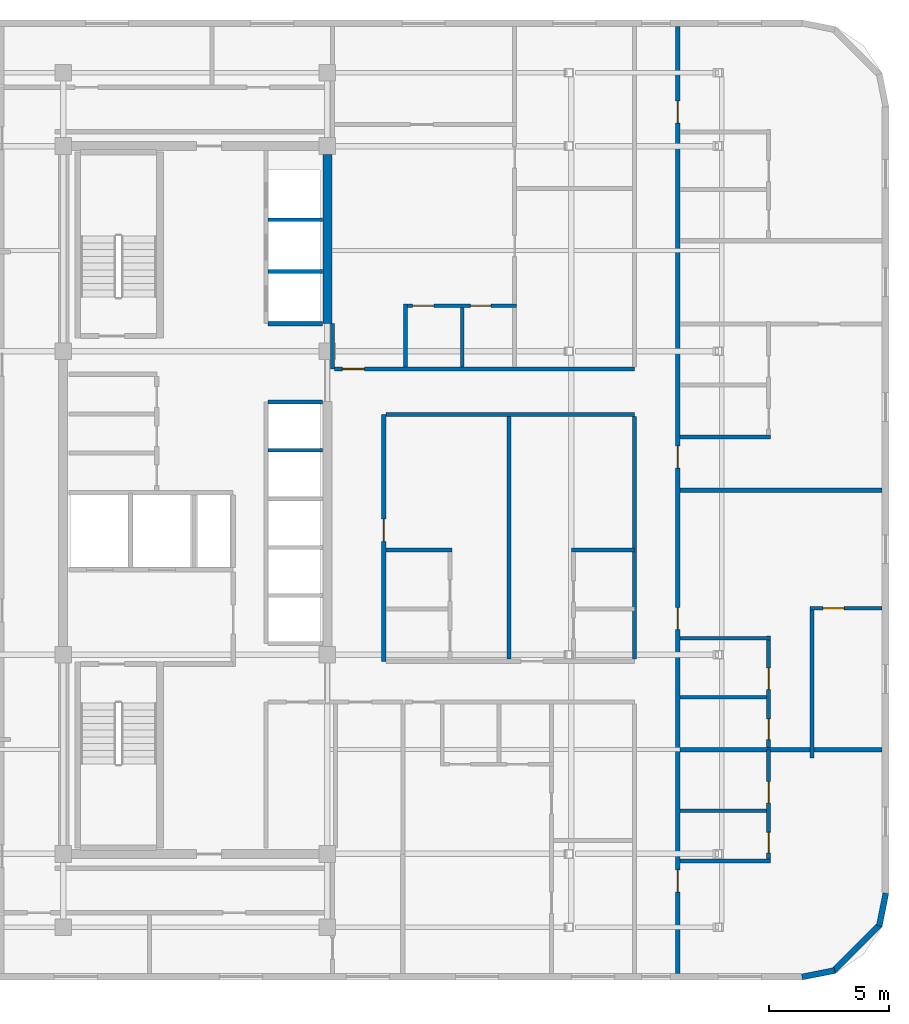
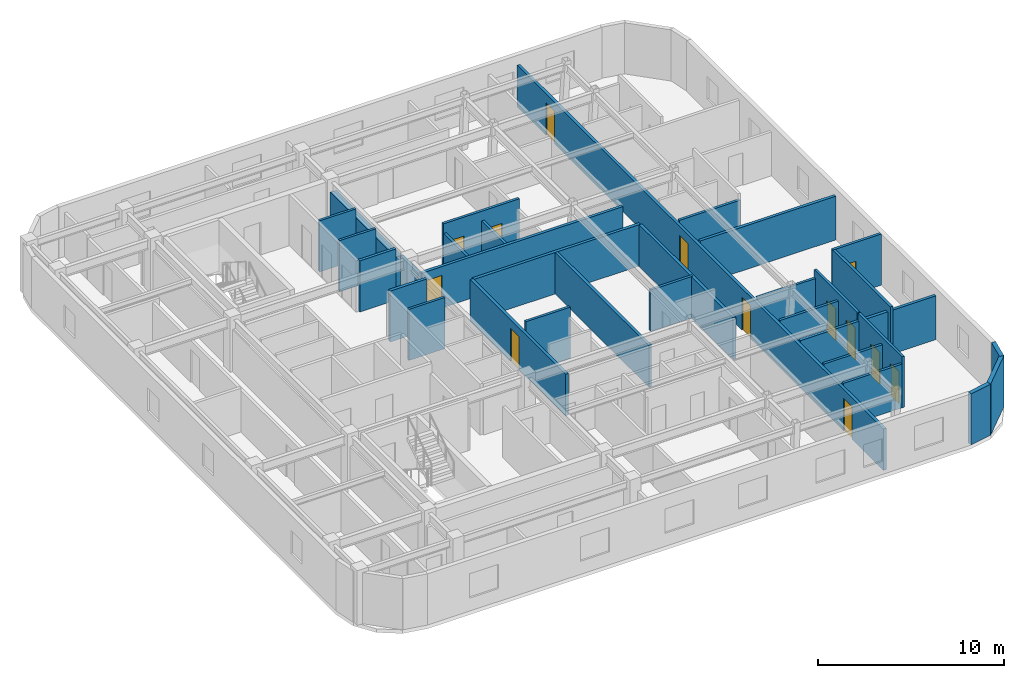
# One storey, part 5 of 8: 32 walls, 13 doors, 13 openings.
"""IFC4 building model written with IfcOpenShell, lengths in metres."""

from ifc_helpers import new_model, si_unit, direction, frame, frame_2d, origin, place, context, subcontext, project, spatial, rectangle, extrude, material, layer, layer_set, type_object, element, fill, save


model = new_model("IFC4")

# Units and contexts
model_context = context("Model", 3, precision=1e-05, world=origin(), true_north=direction((0.0, 1.0)))
body_context = subcontext(model_context, "Body", "Model", "MODEL_VIEW")
ifc_project = project(units=[si_unit("LENGTHUNIT", "METRE"), si_unit("AREAUNIT", "SQUARE_METRE"), si_unit("VOLUMEUNIT", "CUBIC_METRE"), si_unit("PLANEANGLEUNIT", "RADIAN"), si_unit("MASSUNIT", "GRAM", prefix="KILO")], contexts=[model_context])

# Site, building, storey
site_placement = place(None, origin())
site = spatial("IfcSite", under=ifc_project, at=site_placement, CompositionType="ELEMENT")
building_placement = place(site_placement, origin())
building = spatial("IfcBuilding", under=site, at=building_placement, Name="Ochreholt Gables", CompositionType="ELEMENT")
storey_placement = place(building_placement, frame((0.0, 0.0, 151.800048828125)))
storey = spatial("IfcBuildingStorey", under=building, at=storey_placement, Name="L39", CompositionType="ELEMENT", Elevation=151.800048828125)

# Walls
ifc_material_1 = material(Name="Concrete 50 MPa", Category="concrete")
ifc_layer_1 = layer(ifc_material_1, 0.3798828125, Name="Concrete 50 MPa")
ifc_layer_set_1 = layer_set([ifc_layer_1], Name="Concrete 50 MPa")
wall_type_1 = type_object("IfcWallType", Name="WALL-CSW-380", PredefinedType="SHEAR", material=ifc_layer_set_1)
wall_1_placement = place(storey_placement, frame((35.2099609375, 31.35009765625, 0.0), z_axis=(0.0, 0.0, 1.0), x_axis=(0.0, 1.0, 0.0)))
element("IfcWall", 1, at=wall_1_placement, inside=storey, type_object=wall_type_1, Name="L39 Core North-East Shear Wall", PredefinedType="SHEAR", context=body_context, shape_type="SweptSolid", body=[
    extrude(rectangle(XDim=7.0498046875, YDim=0.3798828125, at=frame_2d((3.52490234375, 0.0))), origin(), (0.0, 0.0, 1.0), 2.748046875),
])
ifc_material_2 = material(Name="Precast concrete 40 MPa", Category="concrete")
ifc_layer_2 = layer(ifc_material_2, 0.25, Name="Precast concrete 40 MPa")
ifc_layer_set_2 = layer_set([ifc_layer_2], Name="Precast concrete 40 MPa")
wall_type_2 = type_object("IfcWallType", Name="WALL-EXT-CNR", PredefinedType="SOLIDWALL", material=ifc_layer_set_2)
wall_2_placement = place(storey_placement, frame((54.9833984375, 4.124267578125, 0.0), z_axis=(0.0, 0.0, 1.0), x_axis=(0.980809899341, 0.19496651342, 0.0)))
element("IfcWall", 2, at=wall_2_placement, inside=storey, type_object=wall_type_2, Name="L39 Rounded Corner Wall SE-1", PredefinedType="SOLIDWALL", context=body_context, shape_type="SweptSolid", body=[
    extrude(rectangle(XDim=1.388671875, YDim=0.25, at=frame_2d((0.6943359375, 0.0))), origin(), (0.0, 0.0, 1.0), 3.35986328125),
])
wall_3_placement = place(storey_placement, frame((56.294921875, 4.367919921875, 0.0), z_axis=(0.0, 0.0, 1.0), x_axis=(0.707106781187, 0.707106781187, 0.0)))
element("IfcWall", 3, at=wall_3_placement, inside=storey, type_object=wall_type_2, Name="L39 Rounded Corner Wall SE-2", PredefinedType="SOLIDWALL", context=body_context, shape_type="SweptSolid", body=[
    extrude(rectangle(XDim=2.7392578125, YDim=0.25, at=frame_2d((1.36962890625, 0.0))), origin(), (0.0, 0.0, 1.0), 3.35986328125),
])
wall_4_placement = place(storey_placement, frame((58.205078125, 6.25439453125, 0.0), z_axis=(0.0, 0.0, 1.0), x_axis=(0.19496651342, 0.980809899341, 0.0)))
element("IfcWall", 4, at=wall_4_placement, inside=storey, type_object=wall_type_2, Name="L39 Rounded Corner Wall SE-3", PredefinedType="SOLIDWALL", context=body_context, shape_type="SweptSolid", body=[
    extrude(rectangle(XDim=1.388671875, YDim=0.25, at=frame_2d((0.6943359375, 0.0))), origin(), (0.0, 0.0, 1.0), 3.35986328125),
])

# Wall, opening, door
ifc_material_3 = material(Name="Fire-Rated Gypsum Acoustic Partition", Category="gypsum")
ifc_layer_3 = layer(ifc_material_3, 0.179931640625, Name="Fire-Rated Gypsum Acoustic Partition")
ifc_layer_set_3 = layer_set([ifc_layer_3], Name="Fire-Rated Gypsum Acoustic Partition")
wall_type_3 = type_object("IfcWallType", Name="WALL-INT-CR180", PredefinedType="STANDARD", material=ifc_layer_set_3)
wall_5_placement = place(storey_placement, frame((37.550048828125, 17.280029296875, 0.0), z_axis=(0.0, 0.0, 1.0), x_axis=(0.0, 1.0, 0.0)))
wall_5 = element("IfcWall", 5, at=wall_5_placement, inside=storey, type_object=wall_type_3, Name="L39 Interior Wall WI-C2EM-L39", PredefinedType="STANDARD", context=body_context, shape_type="SweptSolid", body=[
    extrude(rectangle(XDim=10.280029296875, YDim=0.179931640625, at=frame_2d((5.14013671875, 0.0))), origin(), (0.0, 0.0, 1.0), 2.72998046875),
])
opening_1_placement = place(wall_5_placement, frame((5.0, 0.0, 0.0)))
opening_1 = element("IfcOpeningElement", 6, at=opening_1_placement, cuts=wall_5, Name="Opening D-UN1", PredefinedType="OPENING", context=body_context, shape_type="SweptSolid", body=[
    extrude(rectangle(XDim=0.919921875, YDim=2.14990234375, at=frame_2d((0.4599609375, 1.074951171875))), frame((0.0, 0.099853515625, 0.0), z_axis=(0.0, -1.0, 0.0), x_axis=(1.0, 0.0, 0.0)), (0.0, 0.0, 1.0), 0.199951171875),
])
ifc_material_4 = material(Name="Engineered Oak Timber", Category="wood")
door_type_1 = type_object("IfcDoorType", Name="DR-INT-UNT920", OperationType="NOTDEFINED", PredefinedType="DOOR", material=ifc_material_4)
door_1_placement = place(opening_1_placement, origin())
door_1 = element("IfcDoor", 7, at=door_1_placement, inside=storey, type_object=door_type_1, Name="L39 Door D-U-L39M1-ENT", OperationType="SINGLE_SWING_RIGHT", OverallHeight=2.14990234375, OverallWidth=0.919921875, PredefinedType="DOOR", context=body_context, shape_type="SweptSolid", body=[
    extrude(rectangle(XDim=0.919921875, YDim=2.14990234375, at=frame_2d((0.4599609375, 1.074951171875))), frame((0.0, 0.02490234375, 0.0), z_axis=(0.0, -1.0, 0.0), x_axis=(1.0, 0.0, 0.0)), (0.0, 0.0, 1.0), 0.050048828125),
])
fill(opening_1, door_1)

# Walls
wall_6_placement = place(storey_placement, frame((37.639892578125, 27.56005859375, 0.0), z_axis=(0.0, 0.0, 1.0), x_axis=(1.0, 0.0, 0.0)))
element("IfcWall", 8, at=wall_6_placement, inside=storey, type_object=wall_type_3, Name="L39 Interior Wall WI-C2SN1-L39", PredefinedType="STANDARD", context=body_context, shape_type="SweptSolid", body=[
    extrude(rectangle(XDim=10.360107421875, YDim=0.179931640625, at=frame_2d((5.18017578125, 0.0))), origin(), (0.0, 0.0, 1.0), 2.72998046875),
])
wall_7_placement = place(storey_placement, frame((35.419921875, 29.4599609375, 0.0), z_axis=(0.0, 0.0, 1.0), x_axis=(0.0, 1.0, 0.0)))
element("IfcWall", 9, at=wall_7_placement, inside=storey, type_object=wall_type_3, Name="L39 Interior Wall WI-C2NCL-L39", PredefinedType="STANDARD", context=body_context, shape_type="SweptSolid", body=[
    extrude(rectangle(XDim=1.89013671875, YDim=0.179931640625, at=frame_2d((0.945068359375, 0.0))), origin(), (0.0, 0.0, 1.0), 2.72998046875),
])

# Wall, opening, door
wall_8_placement = place(storey_placement, frame((35.510009765625, 29.4599609375, 0.0), z_axis=(0.0, 0.0, 1.0), x_axis=(1.0, 0.0, 0.0)))
wall_8 = element("IfcWall", 10, at=wall_8_placement, inside=storey, type_object=wall_type_3, Name="L39 Interior Wall WI-C2SN2-L39", PredefinedType="STANDARD", context=body_context, shape_type="SweptSolid", body=[
    extrude(rectangle(XDim=12.489990234375, YDim=0.179931640625, at=frame_2d((6.2451171875, 0.0))), origin(), (0.0, 0.0, 1.0), 2.72998046875),
])
opening_2_placement = place(wall_8_placement, frame((0.320068359375, 0.0, 0.0)))
opening_2 = element("IfcOpeningElement", 11, at=opening_2_placement, cuts=wall_8, Name="Opening D-UN1", PredefinedType="OPENING", context=body_context, shape_type="SweptSolid", body=[
    extrude(rectangle(XDim=0.919921875, YDim=2.14990234375, at=frame_2d((0.4599609375, 1.074951171875))), frame((0.0, 0.099853515625, 0.0), z_axis=(0.0, -1.0, 0.0), x_axis=(1.0, 0.0, 0.0)), (0.0, 0.0, 1.0), 0.199951171875),
])
door_2_placement = place(opening_2_placement, origin())
door_2 = element("IfcDoor", 12, at=door_2_placement, inside=storey, type_object=door_type_1, Name="L39 Door D-U-L39N1-ENT", OperationType="SINGLE_SWING_LEFT", OverallHeight=2.14990234375, OverallWidth=0.919921875, PredefinedType="DOOR", context=body_context, shape_type="SweptSolid", body=[
    extrude(rectangle(XDim=0.919921875, YDim=2.14990234375, at=frame_2d((0.4599609375, 1.074951171875))), frame((0.0, 0.02490234375, 0.0), z_axis=(0.0, -1.0, 0.0), x_axis=(1.0, 0.0, 0.0)), (0.0, 0.0, 1.0), 0.050048828125),
])
fill(opening_2, door_2)

# Wall, openings, doors
wall_9_placement = place(storey_placement, frame((49.800048828125, 4.280029296875, 0.0), z_axis=(0.0, 0.0, 1.0), x_axis=(0.0, 1.0, 0.0)))
wall_9 = element("IfcWall", 13, at=wall_9_placement, inside=storey, type_object=wall_type_3, Name="L39 Interior Wall WI-C2FEG-L39", PredefinedType="STANDARD", context=body_context, shape_type="SweptSolid", body=[
    extrude(rectangle(XDim=39.43994140625, YDim=0.179931640625, at=frame_2d((19.719970703125, 0.0))), origin(), (0.0, 0.0, 1.0), 2.72998046875),
])
opening_3_placement = place(wall_9_placement, frame((3.3798828125, 0.0, 0.0)))
opening_3 = element("IfcOpeningElement", 14, at=opening_3_placement, cuts=wall_9, Name="Opening D-UN1", PredefinedType="OPENING", context=body_context, shape_type="SweptSolid", body=[
    extrude(rectangle(XDim=0.919921875, YDim=2.14990234375, at=frame_2d((0.4599609375, 1.074951171875))), frame((0.0, 0.099853515625, 0.0), z_axis=(0.0, -1.0, 0.0), x_axis=(1.0, 0.0, 0.0)), (0.0, 0.0, 1.0), 0.199951171875),
])
opening_4_placement = place(wall_9_placement, frame((14.320068359375, 0.0, 0.0)))
opening_4 = element("IfcOpeningElement", 15, at=opening_4_placement, cuts=wall_9, Name="Opening D-UN1", PredefinedType="OPENING", context=body_context, shape_type="SweptSolid", body=[
    extrude(rectangle(XDim=0.919921875, YDim=2.14990234375, at=frame_2d((0.4599609375, 1.074951171875))), frame((0.0, 0.099853515625, 0.0), z_axis=(0.0, -1.0, 0.0), x_axis=(1.0, 0.0, 0.0)), (0.0, 0.0, 1.0), 0.199951171875),
])
opening_5_placement = place(wall_9_placement, frame((21.05029296875, 0.0, 0.0)))
opening_5 = element("IfcOpeningElement", 16, at=opening_5_placement, cuts=wall_9, Name="Opening D-UN1", PredefinedType="OPENING", context=body_context, shape_type="SweptSolid", body=[
    extrude(rectangle(XDim=0.919921875, YDim=2.14990234375, at=frame_2d((0.4599609375, 1.074951171875))), frame((0.0, 0.099853515625, 0.0), z_axis=(0.0, -1.0, 0.0), x_axis=(1.0, 0.0, 0.0)), (0.0, 0.0, 1.0), 0.199951171875),
])
opening_6_placement = place(wall_9_placement, frame((35.419921875, 0.0, 0.0)))
opening_6 = element("IfcOpeningElement", 17, at=opening_6_placement, cuts=wall_9, Name="Opening D-UN1", PredefinedType="OPENING", context=body_context, shape_type="SweptSolid", body=[
    extrude(rectangle(XDim=0.919921875, YDim=2.14990234375, at=frame_2d((0.4599609375, 1.074951171875))), frame((0.0, 0.099853515625, 0.0), z_axis=(0.0, -1.0, 0.0), x_axis=(1.0, 0.0, 0.0)), (0.0, 0.0, 1.0), 0.199951171875),
])
door_3_placement = place(opening_3_placement, origin())
door_3 = element("IfcDoor", 18, at=door_3_placement, inside=storey, type_object=door_type_1, Name="L39 Door D-U-L39FE1-ENT", OperationType="SINGLE_SWING_RIGHT", OverallHeight=2.14990234375, OverallWidth=0.919921875, PredefinedType="DOOR", context=body_context, shape_type="SweptSolid", body=[
    extrude(rectangle(XDim=0.919921875, YDim=2.14990234375, at=frame_2d((0.4599609375, 1.074951171875))), frame((0.0, 0.02490234375, 0.0), z_axis=(0.0, -1.0, 0.0), x_axis=(1.0, 0.0, 0.0)), (0.0, 0.0, 1.0), 0.050048828125),
])
fill(opening_3, door_3)
door_4_placement = place(opening_4_placement, origin())
door_4 = element("IfcDoor", 19, at=door_4_placement, inside=storey, type_object=door_type_1, Name="L39 Door D-U-L39FE2-ENT", OperationType="SINGLE_SWING_LEFT", OverallHeight=2.14990234375, OverallWidth=0.919921875, PredefinedType="DOOR", context=body_context, shape_type="SweptSolid", body=[
    extrude(rectangle(XDim=0.919921875, YDim=2.14990234375, at=frame_2d((0.4599609375, 1.074951171875))), frame((0.0, 0.02490234375, 0.0), z_axis=(0.0, -1.0, 0.0), x_axis=(1.0, 0.0, 0.0)), (0.0, 0.0, 1.0), 0.050048828125),
])
fill(opening_4, door_4)
door_5_placement = place(opening_5_placement, origin())
door_5 = element("IfcDoor", 20, at=door_5_placement, inside=storey, type_object=door_type_1, Name="L39 Door D-U-L39FE3-ENT", OperationType="SINGLE_SWING_RIGHT", OverallHeight=2.14990234375, OverallWidth=0.919921875, PredefinedType="DOOR", context=body_context, shape_type="SweptSolid", body=[
    extrude(rectangle(XDim=0.919921875, YDim=2.14990234375, at=frame_2d((0.4599609375, 1.074951171875))), frame((0.0, 0.02490234375, 0.0), z_axis=(0.0, -1.0, 0.0), x_axis=(1.0, 0.0, 0.0)), (0.0, 0.0, 1.0), 0.050048828125),
])
fill(opening_5, door_5)
door_6_placement = place(opening_6_placement, origin())
door_6 = element("IfcDoor", 21, at=door_6_placement, inside=storey, type_object=door_type_1, Name="L39 Door D-U-L39FE4-ENT", OperationType="SINGLE_SWING_LEFT", OverallHeight=2.14990234375, OverallWidth=0.919921875, PredefinedType="DOOR", context=body_context, shape_type="SweptSolid", body=[
    extrude(rectangle(XDim=0.919921875, YDim=2.14990234375, at=frame_2d((0.4599609375, 1.074951171875))), frame((0.0, 0.02490234375, 0.0), z_axis=(0.0, -1.0, 0.0), x_axis=(1.0, 0.0, 0.0)), (0.0, 0.0, 1.0), 0.050048828125),
])
fill(opening_6, door_6)

# Walls
wall_10_placement = place(storey_placement, frame((48.0, 17.3701171875, 0.0), z_axis=(0.0, 0.0, 1.0), x_axis=(0.0, 1.0, 0.0)))
element("IfcWall", 22, at=wall_10_placement, inside=storey, type_object=wall_type_3, Name="L39 Interior Wall WI-C2FEGW2-L39", PredefinedType="STANDARD", context=body_context, shape_type="SweptSolid", body=[
    extrude(rectangle(XDim=10.099853515625, YDim=0.179931640625, at=frame_2d((5.0498046875, 0.0))), origin(), (0.0, 0.0, 1.0), 2.72998046875),
])
ifc_material_5 = material(Name="Double-Stud Acoustic Demising Wall", Category="gypsum")
ifc_layer_4 = layer(ifc_material_5, 0.179931640625, Name="Double-Stud Acoustic Demising Wall")
ifc_layer_set_4 = layer_set([ifc_layer_4], Name="Double-Stud Acoustic Demising Wall")
wall_type_4 = type_object("IfcWallType", Name="WALL-INT-DM180", PredefinedType="PARTITIONING", material=ifc_layer_set_4)
wall_11_placement = place(storey_placement, frame((42.77490234375, 17.3701171875, 0.0), z_axis=(0.0, 0.0, 1.0), x_axis=(0.0, 1.0, 0.0)))
element("IfcWall", 23, at=wall_11_placement, inside=storey, type_object=wall_type_4, Name="L39 Interior Wall WI-C2UDM-L39", PredefinedType="PARTITIONING", context=body_context, shape_type="SweptSolid", body=[
    extrude(rectangle(XDim=10.099853515625, YDim=0.179931640625, at=frame_2d((5.0498046875, 0.0))), origin(), (0.0, 0.0, 1.0), 2.72998046875),
])
for number, where, z_axis, x_axis, name in (
    (24, (49.889892578125, 13.60009765625, 0.0), (0.0, 0.0, 1.0), (1.0, 0.0, 0.0), "L39 Interior Wall WI-C2FED2-L39"),
    (25, (49.889892578125, 24.39990234375, 0.0), (0.0, 0.0, 1.0), (1.0, 0.0, 0.0), "L39 Interior Wall WI-C2FED3-L39"),
):
    element("IfcWall", number, at=place(storey_placement, frame(where, z_axis=z_axis, x_axis=x_axis)), inside=storey, type_object=wall_type_4, Name=name, PredefinedType="PARTITIONING", context=body_context, shape_type="SweptSolid", body=[
        extrude(rectangle(XDim=8.43017578125, YDim=0.179931640625, at=frame_2d((4.215087890625, 0.0))), origin(), (0.0, 0.0, 1.0), 2.87890625),
    ])

# Wall, openings, doors
ifc_material_6 = material(Name="Moisture-Resistant Plumbing Chase Wall", Category="gypsum")
ifc_layer_5 = layer(ifc_material_6, 0.159912109375, Name="Moisture-Resistant Plumbing Chase Wall")
ifc_layer_set_5 = layer_set([ifc_layer_5], Name="Moisture-Resistant Plumbing Chase Wall")
wall_type_5 = type_object("IfcWallType", Name="WALL-INT-PL160", PredefinedType="PLUMBINGWALL", material=ifc_layer_set_5)
wall_12_placement = place(storey_placement, frame((38.3798828125, 32.094970703125, 0.0), z_axis=(0.0, 0.0, 1.0), x_axis=(1.0, 0.0, 0.0)))
wall_12 = element("IfcWall", 26, at=wall_12_placement, inside=storey, type_object=wall_type_5, Name="L39 Interior Wall WU-L39N1-WY", PredefinedType="PLUMBINGWALL", context=body_context, shape_type="SweptSolid", body=[
    extrude(rectangle(XDim=4.710205078125, YDim=0.159912109375, at=frame_2d((2.35498046875, 0.0))), origin(), (0.0, 0.0, 1.0), 3.35986328125),
])
opening_7_placement = place(wall_12_placement, frame((0.3798828125, 0.0, 0.0)))
opening_7 = element("IfcOpeningElement", 27, at=opening_7_placement, cuts=wall_12, Name="Opening D-GN2", PredefinedType="OPENING", context=body_context, shape_type="SweptSolid", body=[
    extrude(rectangle(XDim=0.8798828125, YDim=2.1201171875, at=frame_2d((0.43994140625, 1.06005859375))), frame((0.0, 0.08984375, 0.0), z_axis=(0.0, -1.0, 0.0), x_axis=(1.0, 0.0, 0.0)), (0.0, 0.0, 1.0), 0.179931640625),
])
opening_8_placement = place(wall_12_placement, frame((2.785888671875, 0.0, 0.0)))
opening_8 = element("IfcOpeningElement", 28, at=opening_8_placement, cuts=wall_12, Name="Opening D-BT1", PredefinedType="OPENING", context=body_context, shape_type="SweptSolid", body=[
    extrude(rectangle(XDim=0.860107421875, YDim=2.1201171875, at=frame_2d((0.43017578125, 1.06005859375))), frame((0.0, 0.08984375, 0.0), z_axis=(0.0, -1.0, 0.0), x_axis=(1.0, 0.0, 0.0)), (0.0, 0.0, 1.0), 0.179931640625),
])
door_type_2 = type_object("IfcDoorType", Name="DR-INT-BTH860", OperationType="NOTDEFINED", PredefinedType="DOOR", material=ifc_material_4)
door_7_placement = place(opening_8_placement, origin())
door_7 = element("IfcDoor", 29, at=door_7_placement, inside=storey, type_object=door_type_2, Name="L39 Door D-U-L39N1-BTH", OperationType="SINGLE_SWING_LEFT", OverallHeight=2.1201171875, OverallWidth=0.860107421875, PredefinedType="DOOR", context=body_context, shape_type="SweptSolid", body=[
    extrude(rectangle(XDim=0.860107421875, YDim=2.1201171875, at=frame_2d((0.43017578125, 1.06005859375))), frame((0.0, 0.02490234375, 0.0), z_axis=(0.0, -1.0, 0.0), x_axis=(1.0, 0.0, 0.0)), (0.0, 0.0, 1.0), 0.050048828125),
])
fill(opening_8, door_7)
door_type_3 = type_object("IfcDoorType", Name="DR-INT-GEN880", OperationType="NOTDEFINED", PredefinedType="DOOR", material=ifc_material_4)
door_8_placement = place(opening_7_placement, origin())
door_8 = element("IfcDoor", 30, at=door_8_placement, inside=storey, type_object=door_type_3, Name="L39 Door D-U-L39N1-KIT", OperationType="SINGLE_SWING_RIGHT", OverallHeight=2.1201171875, OverallWidth=0.8798828125, PredefinedType="DOOR", context=body_context, shape_type="SweptSolid", body=[
    extrude(rectangle(XDim=0.8798828125, YDim=2.1201171875, at=frame_2d((0.43994140625, 1.06005859375))), frame((0.0, 0.02490234375, 0.0), z_axis=(0.0, -1.0, 0.0), x_axis=(1.0, 0.0, 0.0)), (0.0, 0.0, 1.0), 0.050048828125),
])
fill(opening_7, door_8)

# Walls
wall_13_placement = place(storey_placement, frame((38.4599609375, 29.550048828125, 0.0), z_axis=(0.0, 0.0, 1.0), x_axis=(0.0, 1.0, 0.0)))
element("IfcWall", 31, at=wall_13_placement, inside=storey, type_object=wall_type_5, Name="L39 Interior Wall WU-L39N1-FY", PredefinedType="PLUMBINGWALL", context=body_context, shape_type="SweptSolid", body=[
    extrude(rectangle(XDim=2.625, YDim=0.159912109375, at=frame_2d((1.3125, 0.0))), origin(), (0.0, 0.0, 1.0), 2.72998046875),
])
wall_14_placement = place(storey_placement, frame((40.825927734375, 29.550048828125, 0.0), z_axis=(0.0, 0.0, 1.0), x_axis=(0.0, 1.0, 0.0)))
element("IfcWall", 32, at=wall_14_placement, inside=storey, type_object=wall_type_5, Name="L39 Interior Wall WU-L39N1-WK", PredefinedType="PLUMBINGWALL", context=body_context, shape_type="SweptSolid", body=[
    extrude(rectangle(XDim=2.46484375, YDim=0.159912109375, at=frame_2d((1.232421875, 0.0))), origin(), (0.0, 0.0, 1.0), 2.72998046875),
])
wall_15_placement = place(storey_placement, frame((37.639892578125, 21.919921875, 0.0), z_axis=(0.0, 0.0, 1.0), x_axis=(1.0, 0.0, 0.0)))
element("IfcWall", 33, at=wall_15_placement, inside=storey, type_object=wall_type_5, Name="L39 Interior Wall WU-L39M1-WYN", PredefinedType="PLUMBINGWALL", context=body_context, shape_type="SweptSolid", body=[
    extrude(rectangle(XDim=2.758056640625, YDim=0.159912109375, at=frame_2d((1.37890625, 0.0))), origin(), (0.0, 0.0, 1.0), 3.35986328125),
])
wall_16_placement = place(storey_placement, frame((45.3798828125, 21.919921875, 0.0), z_axis=(0.0, 0.0, 1.0), x_axis=(1.0, 0.0, 0.0)))
element("IfcWall", 34, at=wall_16_placement, inside=storey, type_object=wall_type_5, Name="L39 Interior Wall WU-L39M2-FY", PredefinedType="PLUMBINGWALL", context=body_context, shape_type="SweptSolid", body=[
    extrude(rectangle(XDim=2.6201171875, YDim=0.159912109375, at=frame_2d((1.31005859375, 0.0))), origin(), (0.0, 0.0, 1.0), 2.72998046875),
])
wall_17_placement = place(storey_placement, frame((49.889892578125, 8.9599609375, 0.0), z_axis=(0.0, 0.0, 1.0), x_axis=(1.0, 0.0, 0.0)))
element("IfcWall", 35, at=wall_17_placement, inside=storey, type_object=wall_type_5, Name="L39 Interior Wall WU-L39FE1-WYS", PredefinedType="PLUMBINGWALL", context=body_context, shape_type="SweptSolid", body=[
    extrude(rectangle(XDim=3.780029296875, YDim=0.159912109375, at=frame_2d((1.89013671875, 0.0))), origin(), (0.0, 0.0, 1.0), 2.87890625),
])

# Wall, openings, doors
wall_18_placement = place(storey_placement, frame((53.590087890625, 8.8701171875, 0.0), z_axis=(0.0, 0.0, 1.0), x_axis=(0.0, 1.0, 0.0)))
wall_18 = element("IfcWall", 36, at=wall_18_placement, inside=storey, type_object=wall_type_5, Name="L39 Interior Wall WU-L39FE1-WX", PredefinedType="PLUMBINGWALL", context=body_context, shape_type="SweptSolid", body=[
    extrude(rectangle(XDim=4.72998046875, YDim=0.159912109375, at=frame_2d((2.364990234375, 0.0))), origin(), (0.0, 0.0, 1.0), 3.35986328125),
])
opening_9_placement = place(wall_18_placement, frame((0.419921875, 0.0, 0.0)))
opening_9 = element("IfcOpeningElement", 37, at=opening_9_placement, cuts=wall_18, Name="Opening D-BT1", PredefinedType="OPENING", context=body_context, shape_type="SweptSolid", body=[
    extrude(rectangle(XDim=0.860107421875, YDim=2.1201171875, at=frame_2d((0.43017578125, 1.06005859375))), frame((0.0, 0.08984375, 0.0), z_axis=(0.0, -1.0, 0.0), x_axis=(1.0, 0.0, 0.0)), (0.0, 0.0, 1.0), 0.179931640625),
])
opening_10_placement = place(wall_18_placement, frame((2.512939453125, 0.0, 0.0)))
opening_10 = element("IfcOpeningElement", 38, at=opening_10_placement, cuts=wall_18, Name="Opening D-GN2", PredefinedType="OPENING", context=body_context, shape_type="SweptSolid", body=[
    extrude(rectangle(XDim=0.8798828125, YDim=2.1201171875, at=frame_2d((0.43994140625, 1.06005859375))), frame((0.0, 0.08984375, 0.0), z_axis=(0.0, -1.0, 0.0), x_axis=(1.0, 0.0, 0.0)), (0.0, 0.0, 1.0), 0.179931640625),
])
door_9_placement = place(opening_9_placement, origin())
door_9 = element("IfcDoor", 39, at=door_9_placement, inside=storey, type_object=door_type_2, Name="L39 Door D-U-L39FE1-BTH", OperationType="SINGLE_SWING_LEFT", OverallHeight=2.1201171875, OverallWidth=0.860107421875, PredefinedType="DOOR", context=body_context, shape_type="SweptSolid", body=[
    extrude(rectangle(XDim=0.860107421875, YDim=2.1201171875, at=frame_2d((0.43017578125, 1.06005859375))), frame((0.0, 0.02490234375, 0.0), z_axis=(0.0, -1.0, 0.0), x_axis=(1.0, 0.0, 0.0)), (0.0, 0.0, 1.0), 0.050048828125),
])
fill(opening_9, door_9)
door_10_placement = place(opening_10_placement, origin())
door_10 = element("IfcDoor", 40, at=door_10_placement, inside=storey, type_object=door_type_3, Name="L39 Door D-U-L39FE1-KIT", OperationType="SINGLE_SWING_RIGHT", OverallHeight=2.1201171875, OverallWidth=0.8798828125, PredefinedType="DOOR", context=body_context, shape_type="SweptSolid", body=[
    extrude(rectangle(XDim=0.8798828125, YDim=2.1201171875, at=frame_2d((0.43994140625, 1.06005859375))), frame((0.0, 0.02490234375, 0.0), z_axis=(0.0, -1.0, 0.0), x_axis=(1.0, 0.0, 0.0)), (0.0, 0.0, 1.0), 0.050048828125),
])
fill(opening_10, door_10)

# Walls
wall_19_placement = place(storey_placement, frame((49.889892578125, 11.052978515625, 0.0), z_axis=(0.0, 0.0, 1.0), x_axis=(1.0, 0.0, 0.0)))
element("IfcWall", 41, at=wall_19_placement, inside=storey, type_object=wall_type_5, Name="L39 Interior Wall WU-L39FE1-WM", PredefinedType="PLUMBINGWALL", context=body_context, shape_type="SweptSolid", body=[
    extrude(rectangle(XDim=3.6201171875, YDim=0.159912109375, at=frame_2d((1.81005859375, 0.0))), origin(), (0.0, 0.0, 1.0), 2.87890625),
])
wall_20_placement = place(storey_placement, frame((49.889892578125, 18.239990234375, 0.0), z_axis=(0.0, 0.0, 1.0), x_axis=(1.0, 0.0, 0.0)))
element("IfcWall", 42, at=wall_20_placement, inside=storey, type_object=wall_type_5, Name="L39 Interior Wall WU-L39FE2-WYN", PredefinedType="PLUMBINGWALL", context=body_context, shape_type="SweptSolid", body=[
    extrude(rectangle(XDim=3.780029296875, YDim=0.159912109375, at=frame_2d((1.89013671875, 0.0))), origin(), (0.0, 0.0, 1.0), 2.87890625),
])

# Wall, openings, doors
wall_21_placement = place(storey_placement, frame((53.590087890625, 13.68994140625, 0.0), z_axis=(0.0, 0.0, 1.0), x_axis=(0.0, 1.0, 0.0)))
wall_21 = element("IfcWall", 43, at=wall_21_placement, inside=storey, type_object=wall_type_5, Name="L39 Interior Wall WU-L39FE2-WX", PredefinedType="PLUMBINGWALL", context=body_context, shape_type="SweptSolid", body=[
    extrude(rectangle(XDim=4.64013671875, YDim=0.159912109375, at=frame_2d((2.320068359375, 0.0))), origin(), (0.0, 0.0, 1.0), 3.35986328125),
])
opening_11_placement = place(wall_21_placement, frame((0.330078125, 0.0, 0.0)))
opening_11 = element("IfcOpeningElement", 44, at=opening_11_placement, cuts=wall_21, Name="Opening D-BT1", PredefinedType="OPENING", context=body_context, shape_type="SweptSolid", body=[
    extrude(rectangle(XDim=0.860107421875, YDim=2.1201171875, at=frame_2d((0.43017578125, 1.06005859375))), frame((0.0, 0.08984375, 0.0), z_axis=(0.0, -1.0, 0.0), x_axis=(1.0, 0.0, 0.0)), (0.0, 0.0, 1.0), 0.179931640625),
])
opening_12_placement = place(wall_21_placement, frame((2.423095703125, 0.0, 0.0)))
opening_12 = element("IfcOpeningElement", 45, at=opening_12_placement, cuts=wall_21, Name="Opening D-GN2", PredefinedType="OPENING", context=body_context, shape_type="SweptSolid", body=[
    extrude(rectangle(XDim=0.8798828125, YDim=2.1201171875, at=frame_2d((0.43994140625, 1.06005859375))), frame((0.0, 0.08984375, 0.0), z_axis=(0.0, -1.0, 0.0), x_axis=(1.0, 0.0, 0.0)), (0.0, 0.0, 1.0), 0.179931640625),
])
door_11_placement = place(opening_11_placement, origin())
door_11 = element("IfcDoor", 46, at=door_11_placement, inside=storey, type_object=door_type_2, Name="L39 Door D-U-L39FE2-BTH", OperationType="SINGLE_SWING_RIGHT", OverallHeight=2.1201171875, OverallWidth=0.860107421875, PredefinedType="DOOR", context=body_context, shape_type="SweptSolid", body=[
    extrude(rectangle(XDim=0.860107421875, YDim=2.1201171875, at=frame_2d((0.43017578125, 1.06005859375))), frame((0.0, 0.02490234375, 0.0), z_axis=(0.0, -1.0, 0.0), x_axis=(1.0, 0.0, 0.0)), (0.0, 0.0, 1.0), 0.050048828125),
])
fill(opening_11, door_11)
door_12_placement = place(opening_12_placement, origin())
door_12 = element("IfcDoor", 47, at=door_12_placement, inside=storey, type_object=door_type_3, Name="L39 Door D-U-L39FE2-KIT", OperationType="SINGLE_SWING_LEFT", OverallHeight=2.1201171875, OverallWidth=0.8798828125, PredefinedType="DOOR", context=body_context, shape_type="SweptSolid", body=[
    extrude(rectangle(XDim=0.8798828125, YDim=2.1201171875, at=frame_2d((0.43994140625, 1.06005859375))), frame((0.0, 0.02490234375, 0.0), z_axis=(0.0, -1.0, 0.0), x_axis=(1.0, 0.0, 0.0)), (0.0, 0.0, 1.0), 0.050048828125),
])
fill(opening_12, door_12)

# Walls
wall_22_placement = place(storey_placement, frame((49.889892578125, 15.782958984375, 0.0), z_axis=(0.0, 0.0, 1.0), x_axis=(1.0, 0.0, 0.0)))
element("IfcWall", 48, at=wall_22_placement, inside=storey, type_object=wall_type_5, Name="L39 Interior Wall WU-L39FE2-WM", PredefinedType="PLUMBINGWALL", context=body_context, shape_type="SweptSolid", body=[
    extrude(rectangle(XDim=3.6201171875, YDim=0.159912109375, at=frame_2d((1.81005859375, 0.0))), origin(), (0.0, 0.0, 1.0), 2.87890625),
])
wall_23_placement = place(storey_placement, frame((49.889892578125, 26.63037109375, 0.0), z_axis=(0.0, 0.0, 1.0), x_axis=(1.0, 0.0, 0.0)))
element("IfcWall", 49, at=wall_23_placement, inside=storey, type_object=wall_type_5, Name="L39 Interior Wall WU-L39FE3-FYS", PredefinedType="PLUMBINGWALL", context=body_context, shape_type="SweptSolid", body=[
    extrude(rectangle(XDim=3.780029296875, YDim=0.159912109375, at=frame_2d((1.89013671875, 0.0))), origin(), (0.0, 0.0, 1.0), 2.87890625),
])
ifc_material_7 = material(Name="Gypsum Acoustic Stud Partition", Category="gypsum")
ifc_layer_6 = layer(ifc_material_7, 0.1650390625, Name="Gypsum Acoustic Stud Partition")
ifc_layer_set_6 = layer_set([ifc_layer_6], Name="Gypsum Acoustic Stud Partition")
wall_type_6 = type_object("IfcWallType", Name="WALL-INT-PT165", PredefinedType="PARTITIONING", material=ifc_layer_set_6)
wall_24_placement = place(storey_placement, frame((55.389892578125, 13.239990234375, 0.0), z_axis=(0.0, 0.0, 1.0), x_axis=(0.0, 1.0, 0.0)))
element("IfcWall", 50, at=wall_24_placement, inside=storey, type_object=wall_type_6, Name="L39 Interior Wall WU-L39FE2-STW", PredefinedType="PARTITIONING", context=body_context, shape_type="SweptSolid", body=[
    extrude(rectangle(XDim=6.25, YDim=0.1650390625, at=frame_2d((3.125, 0.0))), origin(), (0.0, 0.0, 1.0), 3.35986328125),
])

# Wall, opening, door
wall_25_placement = place(storey_placement, frame((55.31005859375, 19.489990234375, 0.0), z_axis=(0.0, 0.0, 1.0), x_axis=(1.0, 0.0, 0.0)))
wall_25 = element("IfcWall", 51, at=wall_25_placement, inside=storey, type_object=wall_type_6, Name="L39 Interior Wall WU-L39FE2-STN", PredefinedType="PARTITIONING", context=body_context, shape_type="SweptSolid", body=[
    extrude(rectangle(XDim=3.010009765625, YDim=0.1650390625, at=frame_2d((1.5048828125, 0.0))), origin(), (0.0, 0.0, 1.0), 3.35986328125),
])
opening_13_placement = place(wall_25_placement, frame((0.550048828125, 0.0, 0.0)))
opening_13 = element("IfcOpeningElement", 52, at=opening_13_placement, cuts=wall_25, Name="Opening D-GN2", PredefinedType="OPENING", context=body_context, shape_type="SweptSolid", body=[
    extrude(rectangle(XDim=0.8798828125, YDim=2.1201171875, at=frame_2d((0.43994140625, 1.06005859375))), frame((0.0, 0.092529296875, 0.0), z_axis=(0.0, -1.0, 0.0), x_axis=(1.0, 0.0, 0.0)), (0.0, 0.0, 1.0), 0.18505859375),
])
door_13_placement = place(opening_13_placement, origin())
door_13 = element("IfcDoor", 53, at=door_13_placement, inside=storey, type_object=door_type_3, Name="L39 Door D-U-L39FE2-STD", OperationType="SINGLE_SWING_RIGHT", OverallHeight=2.1201171875, OverallWidth=0.8798828125, PredefinedType="DOOR", context=body_context, shape_type="SweptSolid", body=[
    extrude(rectangle(XDim=0.8798828125, YDim=2.1201171875, at=frame_2d((0.43994140625, 1.06005859375))), frame((0.0, 0.02490234375, 0.0), z_axis=(0.0, -1.0, 0.0), x_axis=(1.0, 0.0, 0.0)), (0.0, 0.0, 1.0), 0.050048828125),
])
fill(opening_13, door_13)

# Walls
ifc_material_8 = material(Name="Gypsum Shaftliner and Steel Stud", Category="steel")
ifc_layer_7 = layer(ifc_material_8, 0.14990234375, Name="Gypsum Shaftliner and Steel Stud")
ifc_layer_set_7 = layer_set([ifc_layer_7], Name="Gypsum Shaftliner and Steel Stud")
wall_type_7 = type_object("IfcWallType", Name="WALL-INT-SH150", PredefinedType="STANDARD", material=ifc_layer_set_7)
for number, where, z_axis, x_axis, name in (
    (54, (32.739990234375, 26.070068359375, 0.0), (0.0, 0.0, 1.0), (1.0, 0.0, 0.0), "L39 Interior Wall WI-LFHE-DEX1-L39"),
    (55, (32.739990234375, 33.52001953125, 0.0), (0.0, 0.0, 1.0), (1.0, 0.0, 0.0), "L39 Interior Wall WI-LFM-D1-L39"),
    (56, (32.739990234375, 35.669921875, 0.0), (0.0, 0.0, 1.0), (1.0, 0.0, 0.0), "L39 Interior Wall WI-LFM-D2-L39"),
):
    element("IfcWall", number, at=place(storey_placement, frame(where, z_axis=z_axis, x_axis=x_axis)), inside=storey, type_object=wall_type_7, Name=name, PredefinedType="STANDARD", context=body_context, shape_type="SweptSolid", body=[
        extrude(rectangle(XDim=2.260009765625, YDim=0.14990234375, at=frame_2d((1.1298828125, 0.0))), origin(), (0.0, 0.0, 1.0), 3.35986328125),
    ])
ifc_layer_8 = layer(ifc_material_8, 0.179931640625, Name="Gypsum Shaftliner and Steel Stud")
ifc_layer_set_8 = layer_set([ifc_layer_8], Name="Gypsum Shaftliner and Steel Stud")
wall_type_8 = type_object("IfcWallType", Name="WALL-INT-SH180", PredefinedType="STANDARD", material=ifc_layer_set_8)
for number, where, z_axis, x_axis, name in (
    (57, (32.739990234375, 28.080078125, 0.0), (0.0, 0.0, 1.0), (1.0, 0.0, 0.0), "L39 Interior Wall WI-LFHE-N-L39"),
    (58, (32.739990234375, 31.35009765625, 0.0), (0.0, 0.0, 1.0), (1.0, 0.0, 0.0), "L39 Interior Wall WI-LFM-S-L39"),
):
    element("IfcWall", number, at=place(storey_placement, frame(where, z_axis=z_axis, x_axis=x_axis)), inside=storey, type_object=wall_type_8, Name=name, PredefinedType="STANDARD", context=body_context, shape_type="SweptSolid", body=[
        extrude(rectangle(XDim=2.260009765625, YDim=0.179931640625, at=frame_2d((1.1298828125, 0.0))), origin(), (0.0, 0.0, 1.0), 3.35986328125),
    ])

save(model, "model.ifc")
